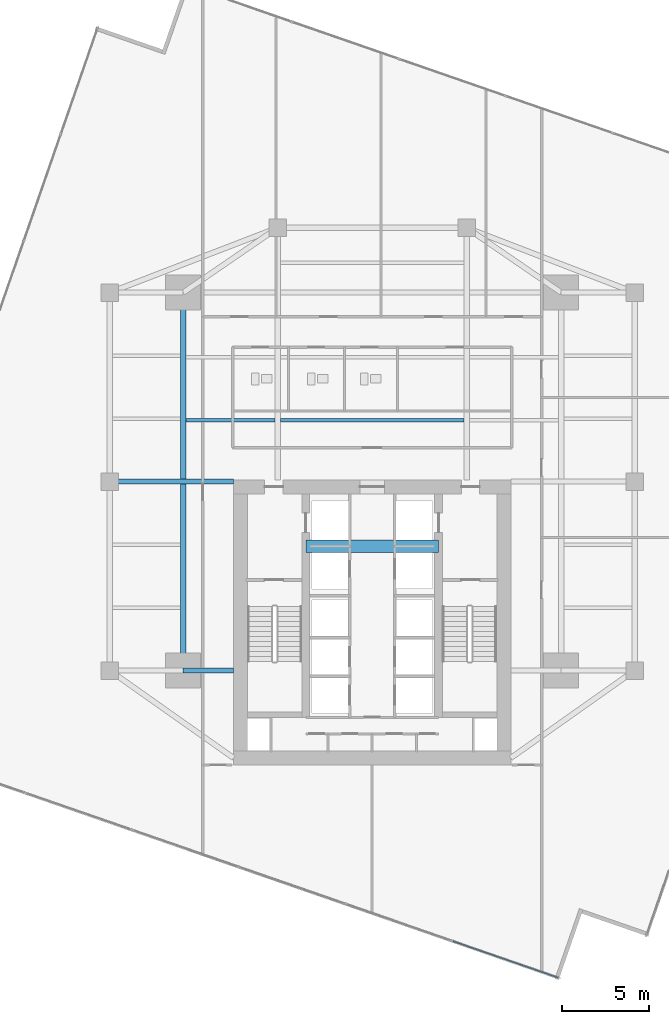
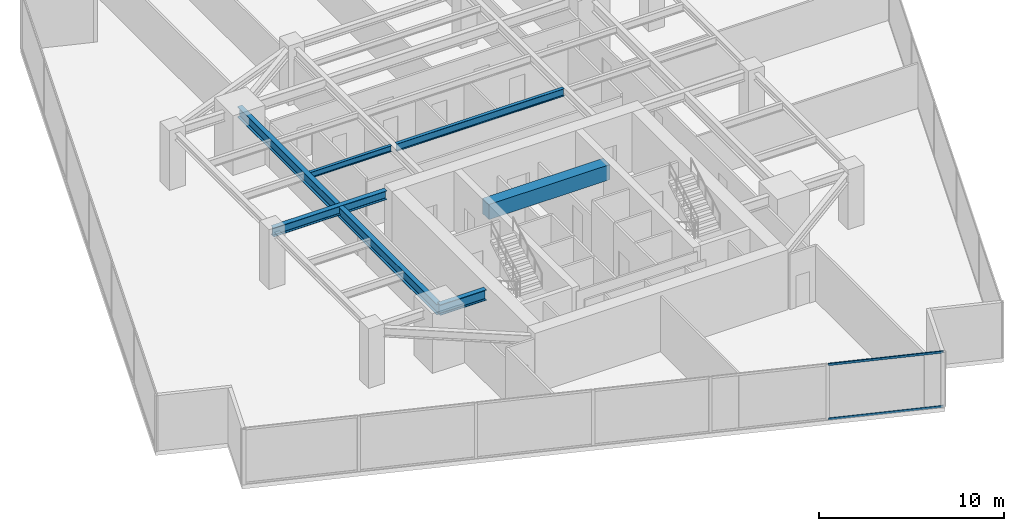
# One storey, part 9 of 27: 6 beams, 2 members, 1 element without a shape of its own.
"""IFC4 building model written with IfcOpenShell, lengths in metres."""

from ifc_helpers import new_model, si_unit, direction, frame, origin, origin_2d, place, context, subcontext, project, spatial, rectangle, hollow_rectangle, i_section, extrude, source, transform, mapped, material, material_profile, profile_set, type_object, type_shapes, element, aggregate, save


model = new_model("IFC4")

# Units and contexts
model_context = context("Model", 3, precision=1e-05, world=origin(), true_north=direction((0.0, 1.0)))
body_context = subcontext(model_context, "Body", "Model", "MODEL_VIEW")
ifc_project = project(units=[si_unit("LENGTHUNIT", "METRE"), si_unit("AREAUNIT", "SQUARE_METRE"), si_unit("VOLUMEUNIT", "CUBIC_METRE"), si_unit("PLANEANGLEUNIT", "RADIAN"), si_unit("MASSUNIT", "GRAM", prefix="KILO")], contexts=[model_context])

# Site, building, storey
site_placement = place(None, origin())
site = spatial("IfcSite", under=ifc_project, at=site_placement, CompositionType="ELEMENT")
building_placement = place(site_placement, origin())
building = spatial("IfcBuilding", under=site, at=building_placement, Name="Krantzveldt Concourse Tower", CompositionType="ELEMENT")
storey_placement = place(building_placement, frame((0.0, 0.0, 125.60009765625)))
storey = spatial("IfcBuildingStorey", under=building, at=storey_placement, Name="L30", CompositionType="ELEMENT", Elevation=125.60009765625)

# Beams
ifc_material_1 = material(Name="Steel S355J2", Category="steel")
ifc_material_profile_1 = material_profile(ifc_material_1, i_section(OverallWidth=0.300048828125, OverallDepth=0.699951171875, WebThickness=0.01708984375, FlangeThickness=0.031982421875, FilletRadius=0.027099609375, at=origin_2d()), Name="Steel S355J2", Category="steel")
ifc_profile_set_1 = profile_set([ifc_material_profile_1], Name="Steel S355J2 - HEB 700")
beam_type_1 = type_object("IfcBeamType", Name="BM-B-HEB700", PredefinedType="BEAM", material=ifc_profile_set_1)
shared_shape_1 = source(origin(), body_context, "Body", "SweptSolid", [
    extrude(i_section(OverallWidth=0.300048828125, OverallDepth=0.699951171875, WebThickness=0.01708984375, FlangeThickness=0.031982421875, FilletRadius=0.027099609375, at=origin_2d()), origin(), (0.0, 0.0, 1.0), 2.880126953125),
])
beam_1_placement = place(storey_placement, frame((25.199951171875, 15.89990234375, 3.31982421875), z_axis=(1.0, 0.0, 0.0), x_axis=(0.0, 1.0, 0.0)))
element("IfcBeam", 1, at=beam_1_placement, inside=storey, type_object=beam_type_1, Name="L30 Tower Girder BG-CW1", PredefinedType="BEAM", context=body_context, shape_type="MappedRepresentation", body=[
    mapped(shared_shape_1, transform((0.0, 0.0, 0.0), x_axis=(1.0, 0.0, 0.0), y_axis=(0.0, 1.0, 0.0), z_axis=(0.0, 0.0, 1.0), scale=1.0)),
])
shared_shape_2 = source(origin(), body_context, "Body", "SweptSolid", [
    extrude(i_section(OverallWidth=0.300048828125, OverallDepth=0.699951171875, WebThickness=0.01708984375, FlangeThickness=0.031982421875, FilletRadius=0.027099609375, at=origin_2d()), origin(), (0.0, 0.0, 1.0), 21.60009765625),
])
type_shapes(beam_type_1, [shared_shape_1, shared_shape_2])
beam_2_placement = place(storey_placement, frame((25.199951171875, 15.89990234375, 3.31982421875), z_axis=(0.0, 1.0, 0.0), x_axis=(-1.0, 0.0, 0.0)))
element("IfcBeam", 2, at=beam_2_placement, inside=storey, type_object=beam_type_1, Name="L30 Tower Girder BG-MW", PredefinedType="BEAM", context=body_context, shape_type="MappedRepresentation", body=[
    mapped(shared_shape_2, transform((0.0, 0.0, 0.0), x_axis=(1.0, 0.0, 0.0), y_axis=(0.0, 1.0, 0.0), z_axis=(0.0, 0.0, 1.0), scale=1.0)),
])
ifc_material_2 = material(Name="Steel S355JR", Category="steel")
ifc_material_profile_2 = material_profile(ifc_material_2, i_section(OverallWidth=0.300048828125, OverallDepth=0.590087890625, WebThickness=0.012939453125, FlangeThickness=0.02490234375, FilletRadius=0.027099609375, at=origin_2d()), Name="Steel S355JR", Category="steel")
ifc_profile_set_2 = profile_set([ifc_material_profile_2], Name="Steel S355JR - HEA 600")
beam_type_2 = type_object("IfcBeamType", Name="BM-B-HEA600", PredefinedType="BEAM", material=ifc_profile_set_2)
shared_shape_3 = source(origin(), body_context, "Body", "SweptSolid", [
    extrude(i_section(OverallWidth=0.300048828125, OverallDepth=0.590087890625, WebThickness=0.012939453125, FlangeThickness=0.02490234375, FilletRadius=0.027099609375, at=origin_2d()), origin(), (0.0, 0.0, 1.0), 7.080078125),
])
type_shapes(beam_type_2, [shared_shape_3])
beam_3_placement = place(storey_placement, frame((21.0, 26.699951171875, 3.375), z_axis=(1.0, 0.0, 0.0), x_axis=(0.0, 1.0, 0.0)))
element("IfcBeam", 3, at=beam_3_placement, inside=storey, type_object=beam_type_2, Name="L30 Tower Girder BG-CW2", PredefinedType="BEAM", context=body_context, shape_type="MappedRepresentation", body=[
    mapped(shared_shape_3, transform((0.0, 0.0, 0.0), x_axis=(1.0, 0.0, 0.0), y_axis=(0.0, 1.0, 0.0), z_axis=(0.0, 0.0, 1.0), scale=1.0)),
])
ifc_material_profile_3 = material_profile(ifc_material_2, i_section(OverallWidth=0.199951171875, OverallDepth=0.5, WebThickness=0.01025390625, FlangeThickness=0.01611328125, FilletRadius=0.02099609375, at=origin_2d()), Name="Steel S355JR", Category="steel")
ifc_profile_set_3 = profile_set([ifc_material_profile_3], Name="Steel S355JR - IPE 500")
beam_type_3 = type_object("IfcBeamType", Name="BM-J-IPE500", PredefinedType="JOIST", material=ifc_profile_set_3)
shared_shape_4 = source(origin(), body_context, "Body", "SweptSolid", [
    extrude(i_section(OverallWidth=0.199951171875, OverallDepth=0.5, WebThickness=0.01025390625, FlangeThickness=0.01611328125, FilletRadius=0.02099609375, at=origin_2d()), origin(), (0.0, 0.0, 1.0), 10.5),
])
type_shapes(beam_type_3, [shared_shape_4])
beam_4_placement = place(storey_placement, frame((30.75, 30.199951171875, 3.419921875), z_axis=(1.0, 0.0, 0.0), x_axis=(0.0, 1.0, 0.0)))
element("IfcBeam", 4, at=beam_4_placement, inside=storey, type_object=beam_type_3, Name="L30 Secondary Floor Joist JN-C1", PredefinedType="JOIST", context=body_context, shape_type="MappedRepresentation", body=[
    mapped(shared_shape_4, transform((0.0, 0.0, 0.0), x_axis=(1.0, 0.0, 0.0), y_axis=(0.0, 1.0, 0.0), z_axis=(0.0, 0.0, 1.0), scale=1.0)),
])
ifc_material_profile_4 = material_profile(ifc_material_2, i_section(OverallWidth=0.179931640625, OverallDepth=0.39990234375, WebThickness=0.008544921875, FlangeThickness=0.013427734375, FilletRadius=0.02099609375, at=origin_2d()), Name="Steel S355JR", Category="steel")
ifc_profile_set_4 = profile_set([ifc_material_profile_4], Name="Steel S355JR - IPE 400")
beam_type_4 = type_object("IfcBeamType", Name="BM-J-IPE400", PredefinedType="JOIST", material=ifc_profile_set_4)
shared_shape_5 = source(origin(), body_context, "Body", "SweptSolid", [
    extrude(i_section(OverallWidth=0.179931640625, OverallDepth=0.39990234375, WebThickness=0.008544921875, FlangeThickness=0.013427734375, FilletRadius=0.02099609375, at=origin_2d()), origin(), (0.0, 0.0, 1.0), 5.099853515625),
])
type_shapes(beam_type_4, [shared_shape_5])
beam_5_placement = place(storey_placement, frame((25.35009765625, 30.199951171875, 3.469970703125), z_axis=(1.0, 0.0, 0.0), x_axis=(0.0, 1.0, 0.0)))
element("IfcBeam", 5, at=beam_5_placement, inside=storey, type_object=beam_type_4, Name="L30 Secondary Floor Joist JN-W1", PredefinedType="JOIST", context=body_context, shape_type="MappedRepresentation", body=[
    mapped(shared_shape_5, transform((0.0, 0.0, 0.0), x_axis=(1.0, 0.0, 0.0), y_axis=(0.0, 1.0, 0.0), z_axis=(0.0, 0.0, 1.0), scale=1.0)),
])
ifc_material_3 = material(Name="Concrete C50/60", Category="concrete")
ifc_material_profile_5 = material_profile(ifc_material_3, rectangle(XDim=0.699951171875, YDim=1.0, at=origin_2d()), Name="Concrete C50/60", Category="concrete")
ifc_profile_set_5 = profile_set([ifc_material_profile_5], Name="Concrete C50/60 - RC-CB 700x1000")
beam_type_5 = type_object("IfcBeamType", Name="BM-CB-1000", PredefinedType="LINTEL", material=ifc_profile_set_5)
shared_shape_6 = source(origin(), body_context, "Body", "SweptSolid", [
    extrude(rectangle(XDim=0.699951171875, YDim=1.0, at=origin_2d()), origin(), (0.0, 0.0, 1.0), 7.580078125),
])
type_shapes(beam_type_5, [shared_shape_6])
beam_6_placement = place(storey_placement, frame((32.2099609375, 23.0, 3.169921875), z_axis=(1.0, 0.0, 0.0), x_axis=(0.0, 1.0, 0.0)))
element("IfcBeam", 6, at=beam_6_placement, inside=storey, type_object=beam_type_5, Name="CB-L30-01", PredefinedType="LINTEL", context=body_context, shape_type="MappedRepresentation", body=[
    mapped(shared_shape_6, transform((0.0, 0.0, 0.0), x_axis=(1.0, 0.0, 0.0), y_axis=(0.0, 1.0, 0.0), z_axis=(0.0, 0.0, 1.0), scale=1.0)),
])

# Curtain wall, members
ifc_material_4 = material(Name="Anodised aluminium 6063-T6", Category="aluminium")
curtain_wall_type = type_object("IfcCurtainWallType", Name="CW2", PredefinedType="USERDEFINED", material=ifc_material_4)
curtain_wall_placement = place(storey_placement, origin())
curtain_wall = element("IfcCurtainWall", 7, at=curtain_wall_placement, inside=storey, type_object=curtain_wall_type, Name="CW-L30-F04", ObjectType="UNITISED CURTAIN WALL", PredefinedType="USERDEFINED")
ifc_material_profile_6 = material_profile(ifc_material_4, hollow_rectangle(XDim=0.070068359375, YDim=0.139892578125, WallThickness=0.0048828125, at=origin_2d()), Name="Anodised aluminium 6063-T6", Category="aluminium")
ifc_profile_set_6 = profile_set([ifc_material_profile_6], Name="Anodised aluminium 6063-T6 - ALU-TRAN 140x70x5")
member_type = type_object("IfcMemberType", Name="CW-TRN-150", PredefinedType="USERDEFINED", material=ifc_profile_set_6)
shared_shape_7 = source(origin(), body_context, "Body", "SweptSolid", [
    extrude(hollow_rectangle(XDim=0.070068359375, YDim=0.139892578125, WallThickness=0.0048828125, at=origin_2d()), origin(), (0.0, 0.0, 1.0), 6.361572265625),
])
type_shapes(member_type, [shared_shape_7])
member_1_placement = place(storey_placement, frame((40.615478515625, 0.427734375, 0.034912109375), z_axis=(0.944807532294, -0.327625894764, 0.0), x_axis=(0.327625894764, 0.944807532294, 0.0)))
member_1 = element("IfcMember", 8, at=member_1_placement, type_object=member_type, Name="CW-Z12 transom 6.1", ObjectType="TRANSOM", PredefinedType="USERDEFINED", context=body_context, shape_type="MappedRepresentation", body=[
    mapped(shared_shape_7, transform((0.0, 0.0, 0.0), x_axis=(1.0, 0.0, 0.0), y_axis=(0.0, 1.0, 0.0), z_axis=(0.0, 0.0, 1.0), scale=1.0)),
])
member_2_placement = place(storey_placement, frame((40.615478515625, 0.427734375, 3.635009765625), z_axis=(0.944807532294, -0.327625894764, 0.0), x_axis=(0.327625894764, 0.944807532294, 0.0)))
member_2 = element("IfcMember", 9, at=member_2_placement, type_object=member_type, Name="CW-Z12 transom 6.2", ObjectType="TRANSOM", PredefinedType="USERDEFINED", context=body_context, shape_type="MappedRepresentation", body=[
    mapped(shared_shape_7, transform((0.0, 0.0, 0.0), x_axis=(1.0, 0.0, 0.0), y_axis=(0.0, 1.0, 0.0), z_axis=(0.0, 0.0, 1.0), scale=1.0)),
])
aggregate(curtain_wall, [member_1, member_2])

save(model, "model.ifc")
